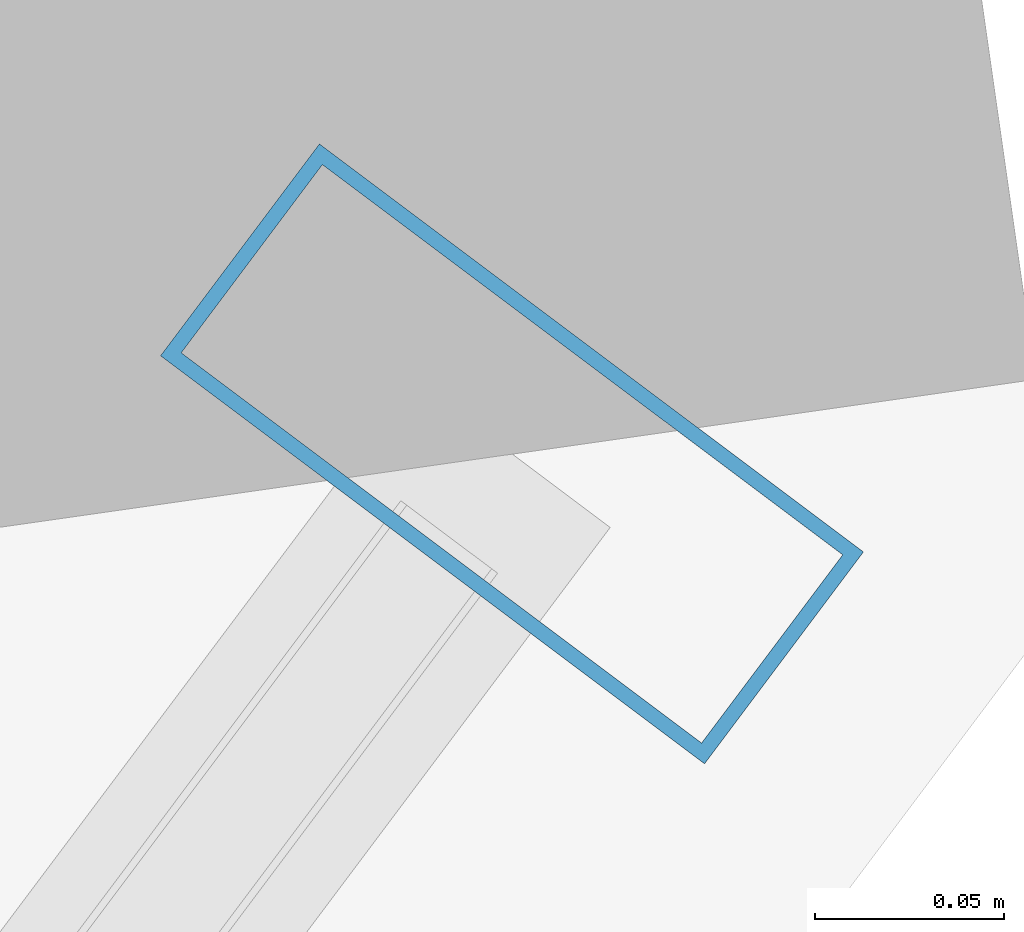
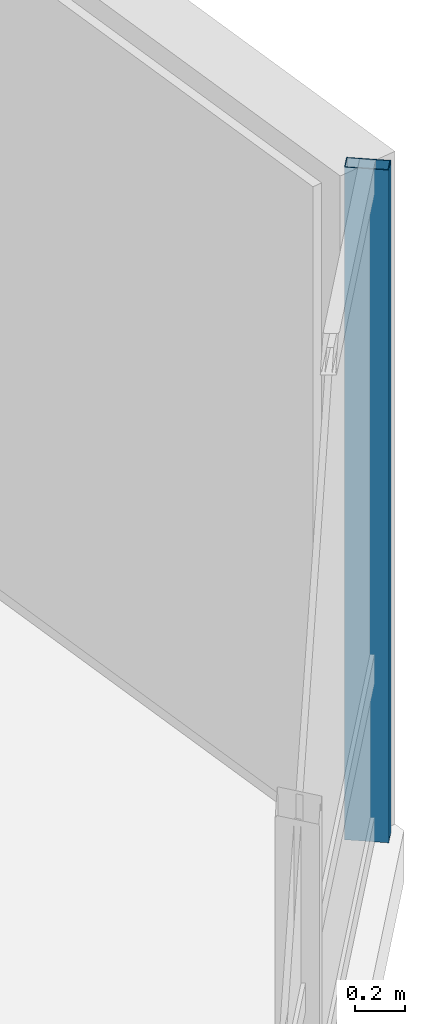
# One storey, part 19 of 29: 1 member, 1 element without a shape of its own.
"""IFC4 building model written with IfcOpenShell, lengths in metres."""

from ifc_helpers import new_model, si_unit, direction, frame, origin, origin_2d, place, context, subcontext, project, spatial, hollow_rectangle, extrude, material, layer, layer_set, material_profile, profile_set, type_object, element, aggregate, save


model = new_model("IFC4")

# Units and contexts
model_context = context("Model", 3, precision=1e-05, world=origin(), true_north=direction((0.0, 1.0)))
body_context = subcontext(model_context, "Body", "Model", "MODEL_VIEW")
ifc_project = project(units=[si_unit("LENGTHUNIT", "METRE"), si_unit("AREAUNIT", "SQUARE_METRE"), si_unit("VOLUMEUNIT", "CUBIC_METRE"), si_unit("PLANEANGLEUNIT", "RADIAN"), si_unit("MASSUNIT", "GRAM", prefix="KILO")], contexts=[model_context])

# Site, building, storey
site_placement = place(None, origin())
site = spatial("IfcSite", under=ifc_project, at=site_placement, CompositionType="ELEMENT")
building_placement = place(site_placement, origin())
building = spatial("IfcBuilding", under=site, at=building_placement, Name="Hatsunagi Terrace Concourse", CompositionType="ELEMENT")
storey_placement = place(building_placement, frame((0.0, 0.0, 178.050048828125)))
storey = spatial("IfcBuildingStorey", under=building, at=storey_placement, Name="L47", CompositionType="ELEMENT", Elevation=178.050048828125)

# Curtain wall, member
ifc_material_1 = material(Name="Anodised Aluminium Alloy 6063-T5", Category="aluminium")
ifc_layer = layer(ifc_material_1, 0.199951171875)
ifc_layer_set = layer_set([ifc_layer], Name="OfficeZone1_CW03")
curtain_wall_type = type_object("IfcCurtainWallType", Name="OfficeZone1_CW03", PredefinedType="NOTDEFINED", material=ifc_layer_set)
curtain_wall_placement = place(storey_placement, origin())
curtain_wall = element("IfcCurtainWall", 1, at=curtain_wall_placement, inside=storey, type_object=curtain_wall_type, Name="Unitised Curtain Wall CW-03 CW-L47-03", PredefinedType="NOTDEFINED")
ifc_material_2 = material(Name="Anodised Aluminium Alloy 6063-T5", Category="aluminium")
ifc_material_profile = material_profile(ifc_material_2, hollow_rectangle(XDim=0.070068359375, YDim=0.179931640625, WallThickness=0.00390625, at=origin_2d()), Name="ALU-MUL-180x70x4")
ifc_profile_set = profile_set([ifc_material_profile], Name="Anodised Aluminium Alloy 6063-T5")
member_type = type_object("IfcMemberType", Name="CurtainWallMullion_180x70", PredefinedType="MULLION", material=ifc_profile_set)
member_placement = place(storey_placement, frame((60.693115234375, 25.9580078125, 0.0), z_axis=(0.0, 0.0, 1.0), x_axis=(-0.599969314634, -0.800023013105, 0.0)))
member = element("IfcMember", 2, at=member_placement, type_object=member_type, Name="Curtain Wall Mullion MUL-02", PredefinedType="MULLION", context=body_context, shape_type="SweptSolid", body=[
    extrude(hollow_rectangle(XDim=0.070068359375, YDim=0.179931640625, WallThickness=0.00390625, at=origin_2d()), origin(), (0.0, 0.0, 1.0), 3.300048828125),
])
aggregate(curtain_wall, [member])

save(model, "model.ifc")
